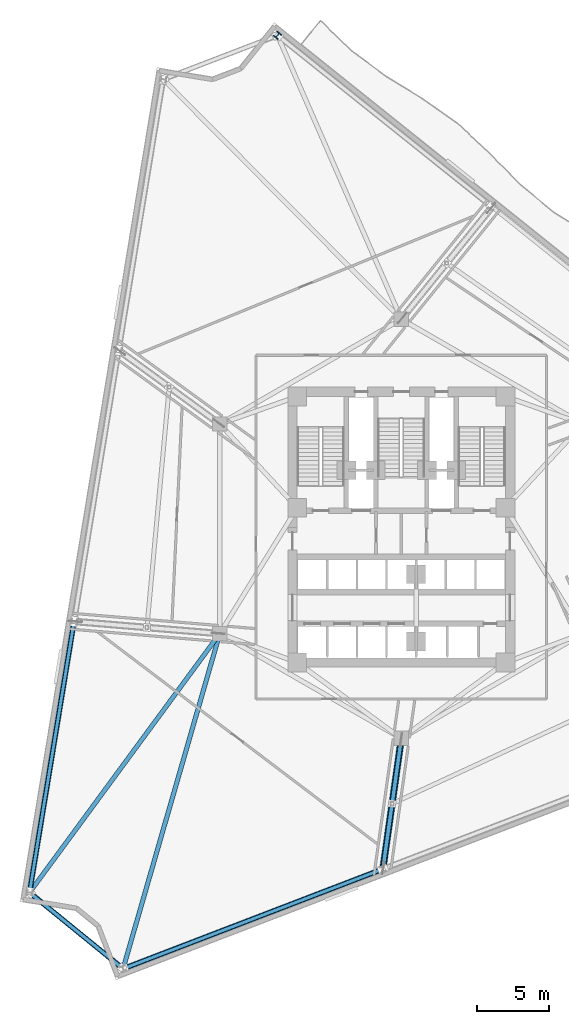
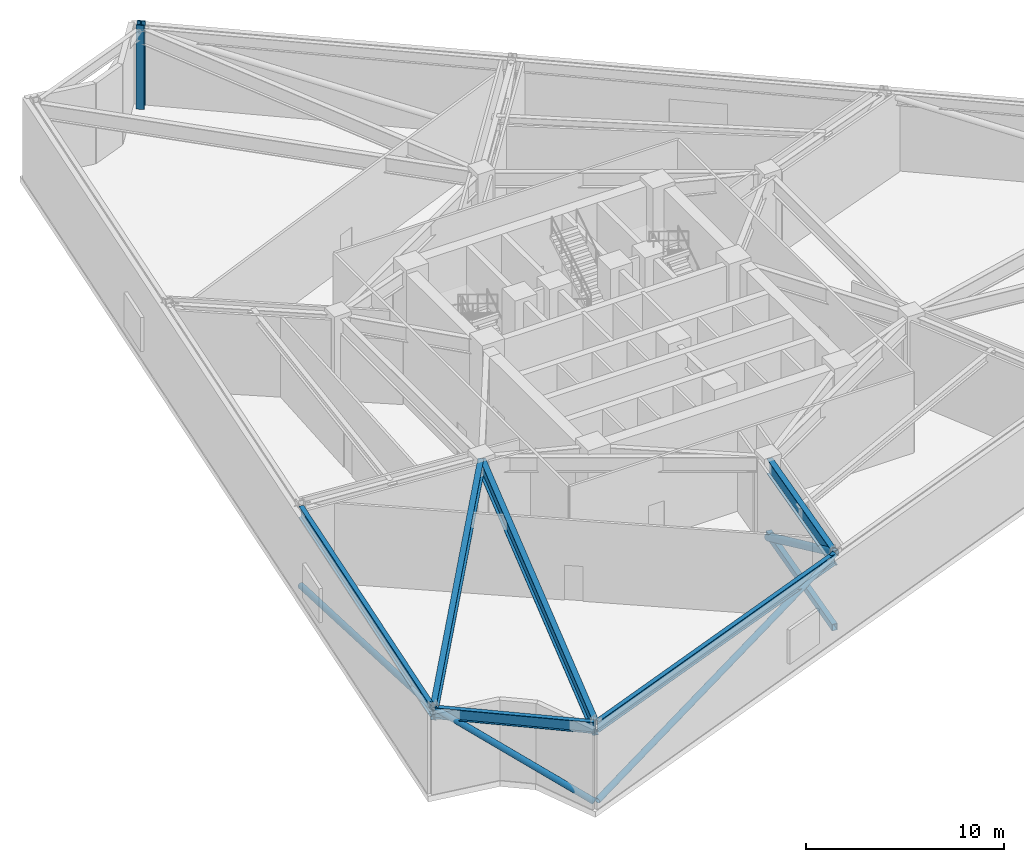
# One storey, part 2 of 18: 6 beams, 5 members, 1 column.
"""IFC4 building model written with IfcOpenShell, lengths in metres."""

from ifc_helpers import new_model, si_unit, direction, frame, origin, origin_2d, place, context, subcontext, project, spatial, hollow_rectangle, hollow_circle, i_section, extrude, material, material_profile, profile_set, type_object, element, save


model = new_model("IFC4")

# Units and contexts
model_context = context("Model", 3, precision=1e-05, world=origin(), true_north=direction((0.0, 1.0)))
body_context = subcontext(model_context, "Body", "Model", "MODEL_VIEW")
ifc_project = project(units=[si_unit("LENGTHUNIT", "METRE"), si_unit("AREAUNIT", "SQUARE_METRE"), si_unit("VOLUMEUNIT", "CUBIC_METRE"), si_unit("PLANEANGLEUNIT", "RADIAN"), si_unit("MASSUNIT", "GRAM", prefix="KILO")], contexts=[model_context])

# Site, building, storey
site_placement = place(None, origin())
site = spatial("IfcSite", under=ifc_project, at=site_placement, CompositionType="ELEMENT")
building_placement = place(site_placement, origin())
building = spatial("IfcBuilding", under=site, at=building_placement, Name="Apsidion Concourse Tower", CompositionType="ELEMENT")
storey_placement = place(building_placement, frame((0.0, 0.0, 127.0)))
storey = spatial("IfcBuildingStorey", under=building, at=storey_placement, Name="L29", CompositionType="ELEMENT", Elevation=127.0)

# Column
ifc_material_1 = material(Name="Structural steel ASTM A992 Grade 50", Category="steel")
ifc_material_profile_1 = material_profile(ifc_material_1, i_section(OverallWidth=0.410888671875, OverallDepth=0.43408203125, WebThickness=0.035888671875, FlangeThickness=0.057373046875, at=origin_2d()), Name="W14X311")
ifc_profile_set_1 = profile_set([ifc_material_profile_1], Name="Structural steel ASTM A992 Grade 50")
column_type = type_object("IfcColumnType", Name="COL-W14-311", PredefinedType="COLUMN", material=ifc_profile_set_1)
column_placement = place(storey_placement, frame((-8.565185546875, 34.1376953125, 0.0), z_axis=(0.0, 0.0, 1.0), x_axis=(-0.780757676633, 0.624833938242, 0.0)))
element("IfcColumn", 1, at=column_placement, inside=storey, type_object=column_type, Name="L29 Rotated Perimeter Column PC12", PredefinedType="COLUMN", context=body_context, shape_type="SweptSolid", body=[
    extrude(i_section(OverallWidth=0.410888671875, OverallDepth=0.43408203125, WebThickness=0.035888671875, FlangeThickness=0.057373046875, at=origin_2d()), origin(), (0.0, 0.0, 1.0), 5.199951171875),
])

# Beams
ifc_material_profile_2 = material_profile(ifc_material_1, i_section(OverallWidth=0.31005859375, OverallDepth=0.931884765625, WebThickness=0.02099609375, FlangeThickness=0.034423828125, at=origin_2d()), Name="W36X210")
ifc_profile_set_2 = profile_set([ifc_material_profile_2], Name="Structural steel ASTM A992 Grade 50")
beam_type_1 = type_object("IfcBeamType", Name="BM-G-W36", PredefinedType="USERDEFINED", material=ifc_profile_set_2)
beam_1_placement = place(storey_placement, frame((-12.690185546875, -7.42724609375, 4.48388671875), z_axis=(-0.592104054542, -0.80586151949, 0.0), x_axis=(0.80586151949, -0.592104054542, 0.0)))
element("IfcBeam", 2, at=beam_1_placement, inside=storey, type_object=beam_type_1, Name="L29 Radial Floor Girder RAD-04", ObjectType="GIRDER", PredefinedType="USERDEFINED", context=body_context, shape_type="SweptSolid", body=[
    extrude(i_section(OverallWidth=0.31005859375, OverallDepth=0.931884765625, WebThickness=0.02099609375, FlangeThickness=0.034423828125, at=origin_2d()), origin(), (0.0, 0.0, 1.0), 21.907470703125),
])
beam_2_placement = place(storey_placement, frame((-12.62109375, -7.46142578125, 4.48388671875), z_axis=(-0.277124061606, -0.960834145146, 0.0), x_axis=(0.960834145146, -0.277124061606, 0.0)))
element("IfcBeam", 3, at=beam_2_placement, inside=storey, type_object=beam_type_1, Name="L29 Radial Floor Girder RAD-05", ObjectType="GIRDER", PredefinedType="USERDEFINED", context=body_context, shape_type="SweptSolid", body=[
    extrude(i_section(OverallWidth=0.31005859375, OverallDepth=0.931884765625, WebThickness=0.02099609375, FlangeThickness=0.034423828125, at=origin_2d()), origin(), (0.0, 0.0, 1.0), 23.810302734375),
])
beam_3_placement = place(storey_placement, frame((-0.03076171875, -14.7177734375, 4.48388671875), z_axis=(-0.139728877642, -0.990189800368, 0.0), x_axis=(0.990189800368, -0.139728877642, 0.0)))
element("IfcBeam", 4, at=beam_3_placement, inside=storey, type_object=beam_type_1, Name="L29 Radial Floor Girder RAD-06", ObjectType="GIRDER", PredefinedType="USERDEFINED", context=body_context, shape_type="SweptSolid", body=[
    extrude(i_section(OverallWidth=0.31005859375, OverallDepth=0.931884765625, WebThickness=0.02099609375, FlangeThickness=0.034423828125, at=origin_2d()), origin(), (0.0, 0.0, 1.0), 8.80615234375),
])
ifc_material_profile_3 = material_profile(ifc_material_1, i_section(OverallWidth=0.256103515625, OverallDepth=0.693115234375, WebThickness=0.014404296875, FlangeThickness=0.023681640625, at=origin_2d()), Name="W27X114")
ifc_profile_set_3 = profile_set([ifc_material_profile_3], Name="Structural steel ASTM A992 Grade 50")
beam_type_2 = type_object("IfcBeamType", Name="BM-SP-W27", PredefinedType="SPANDREL", material=ifc_profile_set_3)
beam_4_placement = place(storey_placement, frame((-22.65576171875, -6.506591796875, 4.603515625), z_axis=(-0.162122790078, -0.986770591849, 0.0), x_axis=(0.986770591849, -0.162122790078, 0.0)))
element("IfcBeam", 5, at=beam_4_placement, inside=storey, type_object=beam_type_2, Name="L29 Perimeter Spandrel Girder SP-03", PredefinedType="SPANDREL", context=body_context, shape_type="SweptSolid", body=[
    extrude(i_section(OverallWidth=0.256103515625, OverallDepth=0.693115234375, WebThickness=0.014404296875, FlangeThickness=0.023681640625, at=origin_2d()), origin(), (0.0, 0.0, 1.0), 18.8056640625),
])
beam_5_placement = place(storey_placement, frame((-25.643310546875, -25.225341796875, 4.603515625), z_axis=(0.775340926365, -0.631542910579, 0.0), x_axis=(0.631542910579, 0.775340926365, 0.0)))
element("IfcBeam", 6, at=beam_5_placement, inside=storey, type_object=beam_type_2, Name="L29 Perimeter Spandrel Girder SP-04", PredefinedType="SPANDREL", context=body_context, shape_type="SweptSolid", body=[
    extrude(i_section(OverallWidth=0.256103515625, OverallDepth=0.693115234375, WebThickness=0.014404296875, FlangeThickness=0.023681640625, at=origin_2d()), origin(), (0.0, 0.0, 1.0), 8.1494140625),
])
beam_6_placement = place(storey_placement, frame((-19.15380859375, -30.3994140625, 4.603515625), z_axis=(0.933579256938, 0.358370996335, 0.0), x_axis=(-0.358370996335, 0.933579256938, 0.0)))
element("IfcBeam", 7, at=beam_6_placement, inside=storey, type_object=beam_type_2, Name="L29 Perimeter Spandrel Girder SP-05", PredefinedType="SPANDREL", context=body_context, shape_type="SweptSolid", body=[
    extrude(i_section(OverallWidth=0.256103515625, OverallDepth=0.693115234375, WebThickness=0.014404296875, FlangeThickness=0.023681640625, at=origin_2d()), origin(), (0.0, 0.0, 1.0), 19.050537109375),
])

# Members
ifc_material_2 = material(Name="Structural steel ASTM A500 Grade C", Category="steel")
ifc_material_profile_4 = material_profile(ifc_material_2, hollow_circle(Radius=0.177978515625, WallThickness=0.02001953125, at=origin_2d()), Name="CHS356X20")
ifc_profile_set_4 = profile_set([ifc_material_profile_4], Name="Structural steel ASTM A500 Grade C")
member_type_1 = type_object("IfcMemberType", Name="MB-BR-CHS356", PredefinedType="BRACE", material=ifc_profile_set_4)
member_1_placement = place(storey_placement, frame((-22.65576171875, -6.506591796875, 0.0), z_axis=(-0.156985836752, -0.955504201287, 0.249734195461), x_axis=(0.986770591849, -0.162122790078, 0.0)))
element("IfcMember", 8, at=member_1_placement, inside=storey, type_object=member_type_1, Name="L29 Perimeter Belt-Truss Diagonal BT-03", PredefinedType="BRACE", context=body_context, shape_type="SweptSolid", body=[
    extrude(hollow_circle(Radius=0.177978515625, WallThickness=0.02001953125, at=origin_2d()), origin(), (0.0, 0.0, 1.0), 19.421142578125),
])
member_2_placement = place(storey_placement, frame((-19.32470703125, -30.3720703125, 0.0), z_axis=(-0.66627248284, 0.54270276306, 0.51142417774), x_axis=(-0.631542910579, -0.775340926365, 0.0)))
element("IfcMember", 9, at=member_2_placement, inside=storey, type_object=member_type_1, Name="L29 Perimeter Belt-Truss Diagonal BT-04", PredefinedType="BRACE", context=body_context, shape_type="SweptSolid", body=[
    extrude(hollow_circle(Radius=0.177978515625, WallThickness=0.02001953125, at=origin_2d()), origin(), (0.0, 0.0, 1.0), 9.4833984375),
])
member_3_placement = place(storey_placement, frame((-19.15380859375, -30.3994140625, 0.0), z_axis=(0.904719048377, 0.347292492159, 0.246721236205), x_axis=(-0.358370996335, 0.933579256938, 0.0)))
element("IfcMember", 10, at=member_3_placement, inside=storey, type_object=member_type_1, Name="L29 Perimeter Belt-Truss Diagonal BT-05", PredefinedType="BRACE", context=body_context, shape_type="SweptSolid", body=[
    extrude(hollow_circle(Radius=0.177978515625, WallThickness=0.02001953125, at=origin_2d()), origin(), (0.0, 0.0, 1.0), 19.658203125),
])
ifc_material_3 = material(Name="Structural steel ASTM A572 Grade 50", Category="steel")
ifc_material_profile_5 = material_profile(ifc_material_3, hollow_circle(Radius=0.228515625, WallThickness=0.02490234375, at=origin_2d()), Name="CHS457X25")
ifc_profile_set_5 = profile_set([ifc_material_profile_5], Name="Structural steel ASTM A572 Grade 50")
member_type_2 = type_object("IfcMemberType", Name="MB-BR-CHS457", PredefinedType="BRACE", material=ifc_profile_set_5)
member_4_placement = place(storey_placement, frame((-0.013916015625, -14.59912109375, 0.0), z_axis=(-0.12278466769, -0.870043166901, 0.477439852871), x_axis=(0.990188214773, -0.13974011351, 0.0)))
element("IfcMember", 11, at=member_4_placement, inside=storey, type_object=member_type_2, Name="L29 Radial Outrigger Truss Diagonal OT-06", PredefinedType="BRACE", context=body_context, shape_type="SweptSolid", body=[
    extrude(hollow_circle(Radius=0.228515625, WallThickness=0.02490234375, at=origin_2d()), origin(), (0.0, 0.0, 1.0), 10.158447265625),
])
ifc_material_profile_6 = material_profile(ifc_material_2, hollow_rectangle(XDim=0.300048828125, YDim=0.39990234375, WallThickness=0.02001953125, at=origin_2d()), Name="HSS400X300X20")
ifc_profile_set_6 = profile_set([ifc_material_profile_6], Name="Structural steel ASTM A500 Grade C")
member_type_3 = type_object("IfcMemberType", Name="MB-CH-HSS400", PredefinedType="CHORD", material=ifc_profile_set_6)
member_5_placement = place(storey_placement, frame((-0.013916015625, -14.59912109375, 0.219970703125), z_axis=(-0.13974011351, -0.990188214773, 0.0), x_axis=(0.990188214773, -0.13974011351, 0.0)))
element("IfcMember", 12, at=member_5_placement, inside=storey, type_object=member_type_3, Name="L29 Radial Outrigger Bottom Chord OTC-06", PredefinedType="CHORD", context=body_context, shape_type="SweptSolid", body=[
    extrude(hollow_rectangle(XDim=0.300048828125, YDim=0.39990234375, WallThickness=0.02001953125, at=origin_2d()), origin(), (0.0, 0.0, 1.0), 8.926025390625),
])

save(model, "model.ifc")
